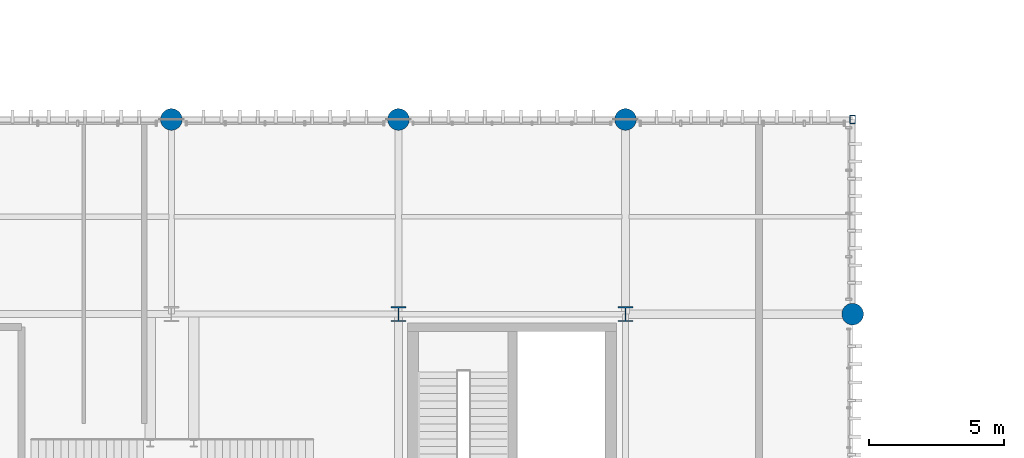
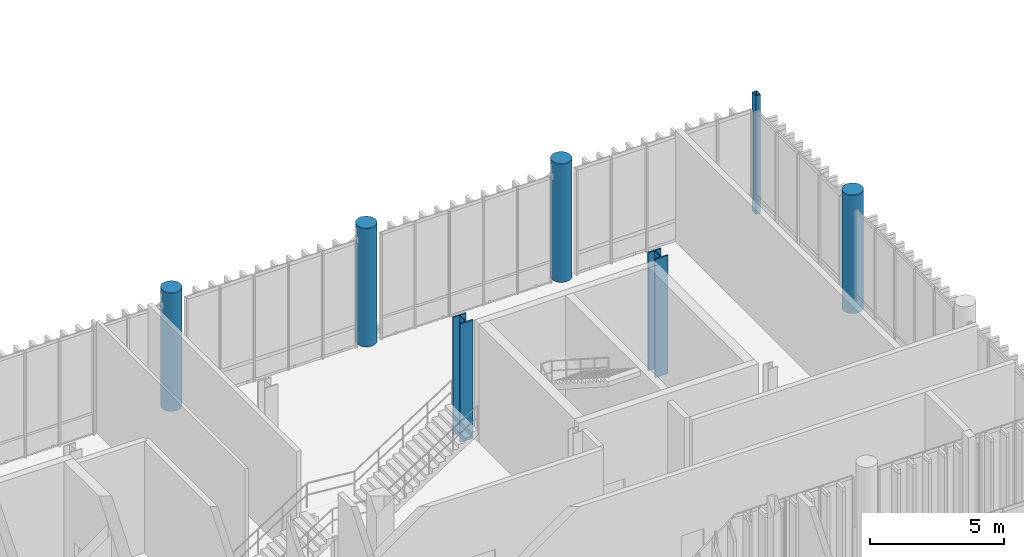
# One storey, part 8 of 128: 7 columns.
"""IFC4 building model written with IfcOpenShell, lengths in metres."""

from ifc_helpers import new_model, si_unit, direction, frame, origin_with_axes, origin_2d_with_axis, place, context, subcontext, project, spatial, hollow_rectangle, circle, i_section, extrude, material, material_profile, profile_set, type_object, element, save


model = new_model("IFC4")

# Units and contexts
model_context = context("Model", 3, precision=1e-05, world=origin_with_axes(), true_north=direction((0.0, 1.0)))
body_context = subcontext(model_context, "Body", "Model", "MODEL_VIEW")
ifc_project = project(units=[si_unit("LENGTHUNIT", "METRE"), si_unit("AREAUNIT", "SQUARE_METRE"), si_unit("VOLUMEUNIT", "CUBIC_METRE"), si_unit("PLANEANGLEUNIT", "RADIAN"), si_unit("MASSUNIT", "GRAM", prefix="KILO"), si_unit("THERMODYNAMICTEMPERATUREUNIT", "KELVIN")], contexts=[model_context])

# Site, building, storey
site_placement = place(None, origin_with_axes())
site = spatial("IfcSite", under=ifc_project, at=site_placement, CompositionType="ELEMENT")
building_placement = place(site_placement, origin_with_axes())
building = spatial("IfcBuilding", under=site, at=building_placement, Name="Montbau Bow Law Courts", CompositionType="ELEMENT")
storey_placement = place(building_placement, frame((0.0, 0.0, 5.4), z_axis=(0.0, 0.0, 1.0), x_axis=(1.0, 0.0, 0.0)))
storey = spatial("IfcBuildingStorey", under=building, at=storey_placement, Name="L01", CompositionType="ELEMENT", Elevation=5.4)

# Columns
ifc_material_1 = material(Name="Steel CSA G40.21 Grade 350WT (350 MPa)", Category="steel")
ifc_material_profile_1 = material_profile(ifc_material_1, hollow_rectangle(XDim=0.203, YDim=0.305, WallThickness=0.0127, InnerFilletRadius=0.0254, OuterFilletRadius=0.0127, at=origin_2d_with_axis()), Name="HSS305X203X13", Category="Main", Priority=0)
ifc_profile_set_1 = profile_set([ifc_material_profile_1], Name="Steel CSA G40.21 Grade 350WT (350 MPa)")
column_type_1 = type_object("IfcColumnType", Name="C-HSS-03", PredefinedType="COLUMN", material=ifc_profile_set_1)
column_placement = place(None, frame((97.2, 61.8, 5.4), z_axis=(0.0, 0.0, 1.0), x_axis=(1.0, 0.0, 0.0)))
element("IfcColumn", 1, at=column_placement, inside=storey, type_object=column_type_1, Name="C-L01-S0432:col2_0432", PredefinedType="COLUMN", context=body_context, shape_type="SweptSolid", body=[
    extrude(hollow_rectangle(XDim=0.203, YDim=0.305, WallThickness=0.0127, InnerFilletRadius=0.0254, OuterFilletRadius=0.0127, at=origin_2d_with_axis()), origin_with_axes(), (0.0, 0.0, 1.0), 5.4),
])
ifc_material_2 = material(Name="Concrete CSA A23.1 f'c 40 MPa", Category="concrete")
ifc_material_profile_2 = material_profile(ifc_material_2, circle(Radius=0.4, at=origin_2d_with_axis()), Name="RC800D", Category="Main", Priority=0)
ifc_profile_set_2 = profile_set([ifc_material_profile_2], Name="Concrete CSA A23.1 f'c 40 MPa")
column_type_2 = type_object("IfcColumnType", Name="C-RC-07", PredefinedType="COLUMN", material=ifc_profile_set_2)
for number, where, z_axis, x_axis, name in (
    (2, (72.0, 61.8, 5.4), (0.0, 0.0, 1.0), (1.0, 0.0, 0.0), "C-L01-S0415:col2_0415"),
    (3, (80.4, 61.8, 5.4), (0.0, 0.0, 1.0), (1.0, 0.0, 0.0), "C-L01-S0421:col2_0421"),
    (4, (88.8, 61.8, 5.4), (0.0, 0.0, 1.0), (1.0, 0.0, 0.0), "C-L01-S0427:col2_0427"),
    (5, (97.2, 54.6, 5.4), (0.0, 0.0, 1.0), (1.0, 0.0, 0.0), "C-L01-S0431:col2_0431"),
):
    element("IfcColumn", number, at=place(None, frame(where, z_axis=z_axis, x_axis=x_axis)), inside=storey, type_object=column_type_2, Name=name, PredefinedType="COLUMN", context=body_context, shape_type="SweptSolid", body=[
        extrude(circle(Radius=0.4, at=origin_2d_with_axis()), origin_with_axes(), (0.0, 0.0, 1.0), 5.4),
    ])
ifc_material_3 = material(Name="Steel CSA G40.21 Grade 350W (350 MPa)", Category="steel")
ifc_material_profile_3 = material_profile(ifc_material_3, i_section(OverallWidth=0.55, OverallDepth=0.55, WebThickness=0.025, FlangeThickness=0.042, at=origin_2d_with_axis()), Name="WWF550X420", Category="Main", Priority=0)
ifc_profile_set_3 = profile_set([ifc_material_profile_3], Name="Steel CSA G40.21 Grade 350W (350 MPa)")
column_type_3 = type_object("IfcColumnType", Name="C-STL-01", PredefinedType="COLUMN", material=ifc_profile_set_3)
for number, where, z_axis, x_axis, name in (
    (6, (80.4, 54.6, 5.4), (0.0, 0.0, 1.0), (1.0, 0.0, 0.0), "C-L01-S0420:col2_0420"),
    (7, (88.8, 54.6, 5.4), (0.0, 0.0, 1.0), (1.0, 0.0, 0.0), "C-L01-S0426:col2_0426"),
):
    element("IfcColumn", number, at=place(None, frame(where, z_axis=z_axis, x_axis=x_axis)), inside=storey, type_object=column_type_3, Name=name, PredefinedType="COLUMN", context=body_context, shape_type="SweptSolid", body=[
        extrude(i_section(OverallWidth=0.55, OverallDepth=0.55, WebThickness=0.025, FlangeThickness=0.042, at=origin_2d_with_axis()), origin_with_axes(), (0.0, 0.0, 1.0), 5.4),
    ])

save(model, "model.ifc")
